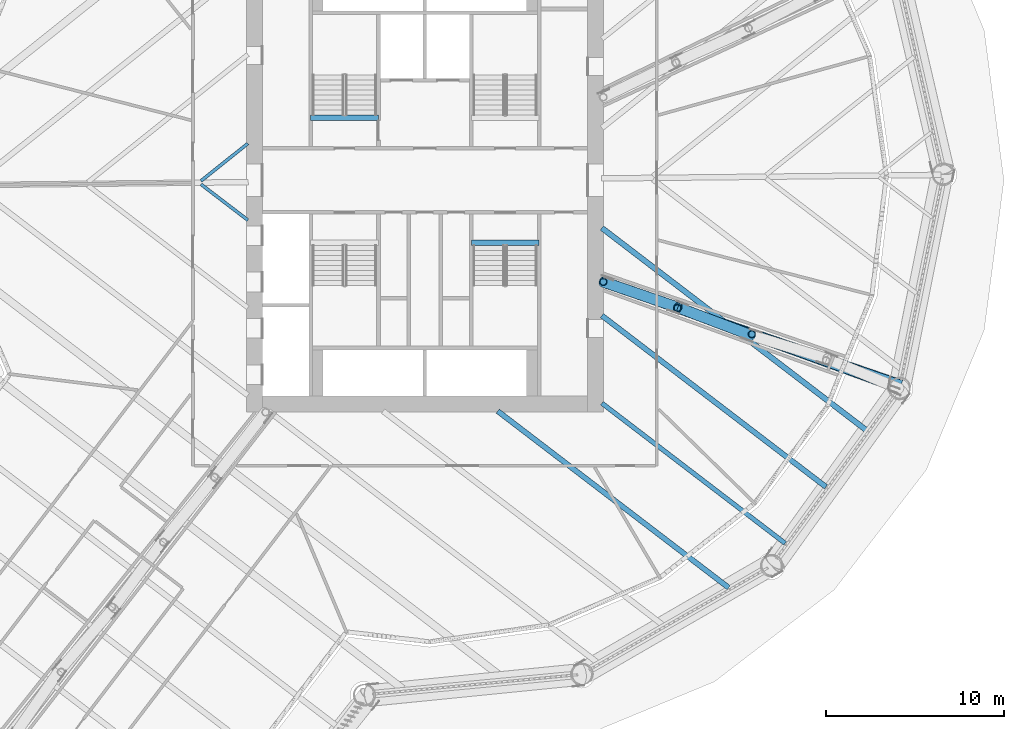
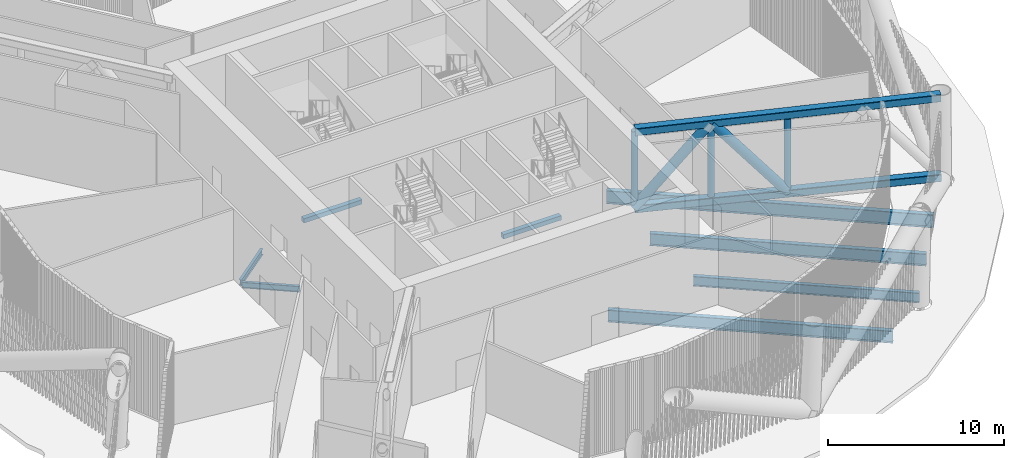
# One storey, part 6 of 48: 8 beams, 7 members.
"""IFC4 building model written with IfcOpenShell, lengths in metres."""

from ifc_helpers import new_model, si_unit, direction, frame, origin, origin_2d, place, context, subcontext, project, spatial, rectangle, hollow_rectangle, hollow_circle, i_section, extrude, material, material_profile, profile_set, type_object, element, save


model = new_model("IFC4")

# Units and contexts
model_context = context("Model", 3, precision=1e-05, world=origin(), true_north=direction((0.0, 1.0)))
body_context = subcontext(model_context, "Body", "Model", "MODEL_VIEW")
ifc_project = project(units=[si_unit("LENGTHUNIT", "METRE"), si_unit("AREAUNIT", "SQUARE_METRE"), si_unit("VOLUMEUNIT", "CUBIC_METRE"), si_unit("PLANEANGLEUNIT", "RADIAN"), si_unit("MASSUNIT", "GRAM", prefix="KILO")], contexts=[model_context])

# Site, building, storey
site_placement = place(None, origin())
site = spatial("IfcSite", under=ifc_project, at=site_placement, CompositionType="ELEMENT")
building_placement = place(site_placement, origin())
building = spatial("IfcBuilding", under=site, at=building_placement, Name="Tarsis Ring Headquarters", CompositionType="ELEMENT")
storey_placement = place(building_placement, frame((0.0, 0.0, 34.0)))
storey = spatial("IfcBuildingStorey", under=building, at=storey_placement, Name="L06", CompositionType="ELEMENT", Elevation=34.0)

# Beams
ifc_material_1 = material(Name="Structural steel S355", Category="steel")
ifc_material_profile_1 = material_profile(ifc_material_1, i_section(OverallWidth=0.177734375, OverallDepth=0.406494140625, WebThickness=0.0078125, FlangeThickness=0.0126953125, at=origin_2d()), Name="W16x40")
ifc_profile_set_1 = profile_set([ifc_material_profile_1], Name="Structural steel S355")
beam_type_1 = type_object("IfcBeamType", Name="FB Floor beam W16x40", PredefinedType="JOIST", material=ifc_profile_set_1)
beam_1_placement = place(storey_placement, frame((-12.548095703125, -0.224853515625, -0.503173828125), z_axis=(0.794420686164, -0.607367906129, 0.0), x_axis=(0.607367906129, 0.794420686164, 0.0)))
element("IfcBeam", 1, at=beam_1_placement, inside=storey, type_object=beam_type_1, Name="Floor beam FB1", PredefinedType="JOIST", context=body_context, shape_type="SweptSolid", body=[
    extrude(i_section(OverallWidth=0.177734375, OverallDepth=0.406494140625, WebThickness=0.0078125, FlangeThickness=0.0126953125, at=origin_2d()), origin(), (0.0, 0.0, 1.0), 3.307373046875),
])
beam_2_placement = place(storey_placement, frame((-9.921875, 2.06005859375, -0.503173828125), z_axis=(-0.781505839287, -0.623897926877, 0.0), x_axis=(0.623897926877, -0.781505839287, 0.0)))
element("IfcBeam", 2, at=beam_2_placement, inside=storey, type_object=beam_type_1, Name="Floor beam FB1", PredefinedType="JOIST", context=body_context, shape_type="SweptSolid", body=[
    extrude(i_section(OverallWidth=0.177734375, OverallDepth=0.406494140625, WebThickness=0.0078125, FlangeThickness=0.0126953125, at=origin_2d()), origin(), (0.0, 0.0, 1.0), 3.363037109375),
])
ifc_material_profile_2 = material_profile(ifc_material_1, i_section(OverallWidth=0.2529296875, OverallDepth=0.67822265625, WebThickness=0.01171875, FlangeThickness=0.016357421875, at=origin_2d()), Name="W27x84")
ifc_profile_set_2 = profile_set([ifc_material_profile_2], Name="Structural steel S355")
beam_type_2 = type_object("IfcBeamType", Name="FB Floor beam W27x84", PredefinedType="JOIST", material=ifc_profile_set_2)
beam_3_placement = place(storey_placement, frame((9.920654296875, -12.494140625, -0.63916015625), z_axis=(0.794409838836, -0.607382093875, 0.0), x_axis=(0.607382093875, 0.794409838836, 0.0)))
element("IfcBeam", 3, at=beam_3_placement, inside=storey, type_object=beam_type_2, Name="Floor beam FB5", PredefinedType="JOIST", context=body_context, shape_type="SweptSolid", body=[
    extrude(i_section(OverallWidth=0.2529296875, OverallDepth=0.67822265625, WebThickness=0.01171875, FlangeThickness=0.016357421875, at=origin_2d()), origin(), (0.0, 0.0, 1.0), 12.924560546875),
])
ifc_material_profile_3 = material_profile(ifc_material_1, i_section(OverallWidth=0.2919921875, OverallDepth=0.835693359375, WebThickness=0.013916015625, FlangeThickness=0.018798828125, at=origin_2d()), Name="W33x118")
ifc_profile_set_3 = profile_set([ifc_material_profile_3], Name="Structural steel S355")
beam_type_3 = type_object("IfcBeamType", Name="FB Floor beam W33x118", PredefinedType="JOIST", material=ifc_profile_set_3)
beam_4_placement = place(storey_placement, frame((9.920654296875, -7.5849609375, -0.7177734375), z_axis=(0.794412198105, -0.607379008118, 0.0), x_axis=(0.607379008118, 0.794412198105, 0.0)))
element("IfcBeam", 4, at=beam_4_placement, inside=storey, type_object=beam_type_3, Name="Floor beam FB7", PredefinedType="JOIST", context=body_context, shape_type="SweptSolid", body=[
    extrude(i_section(OverallWidth=0.2919921875, OverallDepth=0.835693359375, WebThickness=0.013916015625, FlangeThickness=0.018798828125, at=origin_2d()), origin(), (0.0, 0.0, 1.0), 15.804931640625),
])
beam_5_placement = place(storey_placement, frame((4.081787109375, -12.939208984375, -0.7177734375), z_axis=(0.794413963611, -0.607376698944, 0.0), x_axis=(0.607376698944, 0.794413963611, 0.0)))
element("IfcBeam", 5, at=beam_5_placement, inside=storey, type_object=beam_type_3, Name="Floor beam FB7", PredefinedType="JOIST", context=body_context, shape_type="SweptSolid", body=[
    extrude(i_section(OverallWidth=0.2919921875, OverallDepth=0.835693359375, WebThickness=0.013916015625, FlangeThickness=0.018798828125, at=origin_2d()), origin(), (0.0, 0.0, 1.0), 16.29541015625),
])
ifc_material_profile_4 = material_profile(ifc_material_1, i_section(OverallWidth=0.3046875, OverallDepth=0.904296875, WebThickness=0.01513671875, FlangeThickness=0.02001953125, at=origin_2d()), Name="W36x135")
ifc_profile_set_4 = profile_set([ifc_material_profile_4], Name="Structural steel S355")
beam_type_4 = type_object("IfcBeamType", Name="FB Floor beam W36x135", PredefinedType="JOIST", material=ifc_profile_set_4)
beam_6_placement = place(storey_placement, frame((9.920654296875, -2.675537109375, -0.752197265625), z_axis=(0.794413829972, -0.607376873737, 0.0), x_axis=(0.607376873737, 0.794413829972, 0.0)))
element("IfcBeam", 6, at=beam_6_placement, inside=storey, type_object=beam_type_4, Name="Floor beam FB8", PredefinedType="JOIST", context=body_context, shape_type="SweptSolid", body=[
    extrude(i_section(OverallWidth=0.3046875, OverallDepth=0.904296875, WebThickness=0.01513671875, FlangeThickness=0.02001953125, at=origin_2d()), origin(), (0.0, 0.0, 1.0), 18.685546875),
])

# Members
ifc_material_profile_5 = material_profile(ifc_material_1, hollow_rectangle(XDim=0.508056640625, YDim=0.508056640625, WallThickness=0.025390625, InnerFilletRadius=0.025390625, OuterFilletRadius=0.05078125, at=origin_2d()), Name="HSS 508x508x25")
ifc_profile_set_5 = profile_set([ifc_material_profile_5], Name="Structural steel S355")
member_type_1 = type_object("IfcMemberType", Name="OC Outrigger chord HSS 508x508x25", PredefinedType="CHORD", material=ifc_profile_set_5)
member_1_placement = place(storey_placement, frame((10.0, -5.693359375, 0.25390625), z_axis=(0.940594413912, -0.339532249598, 0.0), x_axis=(0.339532249598, 0.940594413912, 0.0)))
element("IfcMember", 7, at=member_1_placement, inside=storey, type_object=member_type_1, Name="Outrigger chord OC1", PredefinedType="CHORD", context=body_context, shape_type="SweptSolid", body=[
    extrude(hollow_rectangle(XDim=0.508056640625, YDim=0.508056640625, WallThickness=0.025390625, InnerFilletRadius=0.025390625, OuterFilletRadius=0.05078125, at=origin_2d()), origin(), (0.0, 0.0, 1.0), 17.643310546875),
])
member_2_placement = place(storey_placement, frame((10.0, -5.693359375, 5.5859375), z_axis=(0.945670928377, -0.325125353091, 0.0), x_axis=(0.325125353091, 0.945670928377, 0.0)))
element("IfcMember", 8, at=member_2_placement, inside=storey, type_object=member_type_1, Name="Outrigger chord OC1", PredefinedType="CHORD", context=body_context, shape_type="SweptSolid", body=[
    extrude(hollow_rectangle(XDim=0.508056640625, YDim=0.508056640625, WallThickness=0.025390625, InnerFilletRadius=0.025390625, OuterFilletRadius=0.05078125, at=origin_2d()), origin(), (0.0, 0.0, 1.0), 17.662109375),
])
ifc_material_profile_6 = material_profile(ifc_material_1, hollow_circle(Radius=0.3046875, WallThickness=0.02490234375, at=origin_2d()), Name="CHS 610x25")
ifc_profile_set_6 = profile_set([ifc_material_profile_6], Name="Structural steel S355")
member_type_2 = type_object("IfcMemberType", Name="OD Outrigger diagonal CHS 610x25", PredefinedType="BRACE", material=ifc_profile_set_6)
member_3_placement = place(storey_placement, frame((10.0, -5.693359375, 0.25390625), z_axis=(0.60314906891, -0.207362247862, 0.770202634918), x_axis=(0.325121491298, 0.945672256068, 0.0)))
element("IfcMember", 9, at=member_3_placement, inside=storey, type_object=member_type_2, Name="Outrigger diagonal OD1", PredefinedType="BRACE", context=body_context, shape_type="SweptSolid", body=[
    extrude(hollow_circle(Radius=0.3046875, WallThickness=0.02490234375, at=origin_2d()), origin(), (0.0, 0.0, 1.0), 6.9228515625),
])
member_4_placement = place(storey_placement, frame((14.175537109375, -7.12890625, 5.5859375), z_axis=(0.595874773966, -0.225447053784, -0.770783289707), x_axis=(0.353865903918, 0.93529616809, 0.0)))
element("IfcMember", 10, at=member_4_placement, inside=storey, type_object=member_type_2, Name="Outrigger diagonal OD1", PredefinedType="BRACE", context=body_context, shape_type="SweptSolid", body=[
    extrude(hollow_circle(Radius=0.3046875, WallThickness=0.02490234375, at=origin_2d()), origin(), (0.0, 0.0, 1.0), 6.917724609375),
])
ifc_material_profile_7 = material_profile(ifc_material_1, hollow_circle(Radius=0.203125, WallThickness=0.01611328125, at=origin_2d()), Name="CHS 406x16")
ifc_profile_set_7 = profile_set([ifc_material_profile_7], Name="Structural steel S355")
member_type_3 = type_object("IfcMemberType", Name="OV Outrigger post CHS 406x16", PredefinedType="STRUT", material=ifc_profile_set_7)
member_5_placement = place(storey_placement, frame((10.0, -5.693359375, 0.508056640625), z_axis=(0.0, 0.0, 1.0), x_axis=(1.0, 0.0, 0.0)))
element("IfcMember", 11, at=member_5_placement, inside=storey, type_object=member_type_3, Name="Outrigger post OV1", PredefinedType="STRUT", context=body_context, shape_type="SweptSolid", body=[
    extrude(hollow_circle(Radius=0.203125, WallThickness=0.01611328125, at=origin_2d()), origin(), (0.0, 0.0, 1.0), 5.077880859375),
])
for number, where, z_axis, x_axis, name in (
    (12, (14.162109375, -7.159912109375, 0.508056640625), (0.0, 0.0, 1.0), (1.0, 0.0, 0.0), "Outrigger post OV1"),
    (13, (18.324462890625, -8.62646484375, 0.508056640625), (0.0, 0.0, 1.0), (1.0, 0.0, 0.0), "Outrigger post OV1"),
):
    element("IfcMember", number, at=place(storey_placement, frame(where, z_axis=z_axis, x_axis=x_axis)), inside=storey, type_object=member_type_3, Name=name, PredefinedType="STRUT", context=body_context, shape_type="SweptSolid", body=[
        extrude(hollow_circle(Radius=0.203125, WallThickness=0.01611328125, at=origin_2d()), origin(), (0.0, 0.0, 1.0), 4.823974609375),
    ])

# Beams
ifc_material_2 = material(Name="Concrete C40/50", Category="concrete")
ifc_material_profile_8 = material_profile(ifc_material_2, rectangle(XDim=0.300048828125, YDim=0.300048828125, at=origin_2d()), Name="Stair head beam 300x300 C40/50")
ifc_profile_set_8 = profile_set([ifc_material_profile_8], Name="Concrete C40/50")
beam_type_5 = type_object("IfcBeamType", Name="Stair head beam 300x300 C40/50", PredefinedType="BEAM", material=ifc_profile_set_8)
for number, where, z_axis, x_axis, name in (
    (14, (-6.39990234375, 3.510009765625, -0.449951171875), (1.0, 0.0, 0.0), (0.0, 1.0, 0.0), "Stair head beam L06 Firefighting stair"),
    (15, (2.60009765625, -3.510009765625, -0.449951171875), (1.0, 0.0, 0.0), (0.0, 1.0, 0.0), "Stair head beam L06 Exit stair D"),
):
    element("IfcBeam", number, at=place(storey_placement, frame(where, z_axis=z_axis, x_axis=x_axis)), inside=storey, type_object=beam_type_5, Name=name, PredefinedType="BEAM", context=body_context, shape_type="SweptSolid", body=[
        extrude(rectangle(XDim=0.300048828125, YDim=0.300048828125, at=origin_2d()), origin(), (0.0, 0.0, 1.0), 3.7998046875),
    ])

save(model, "model.ifc")
